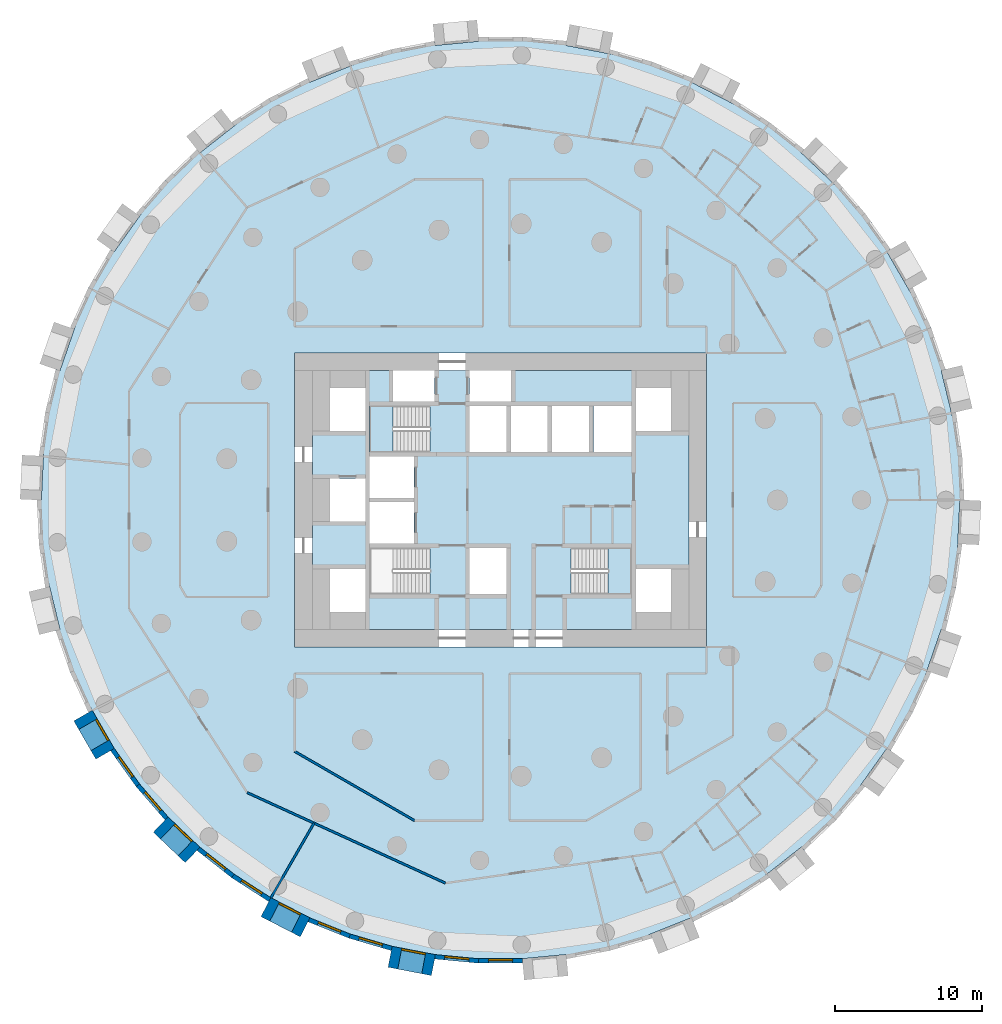
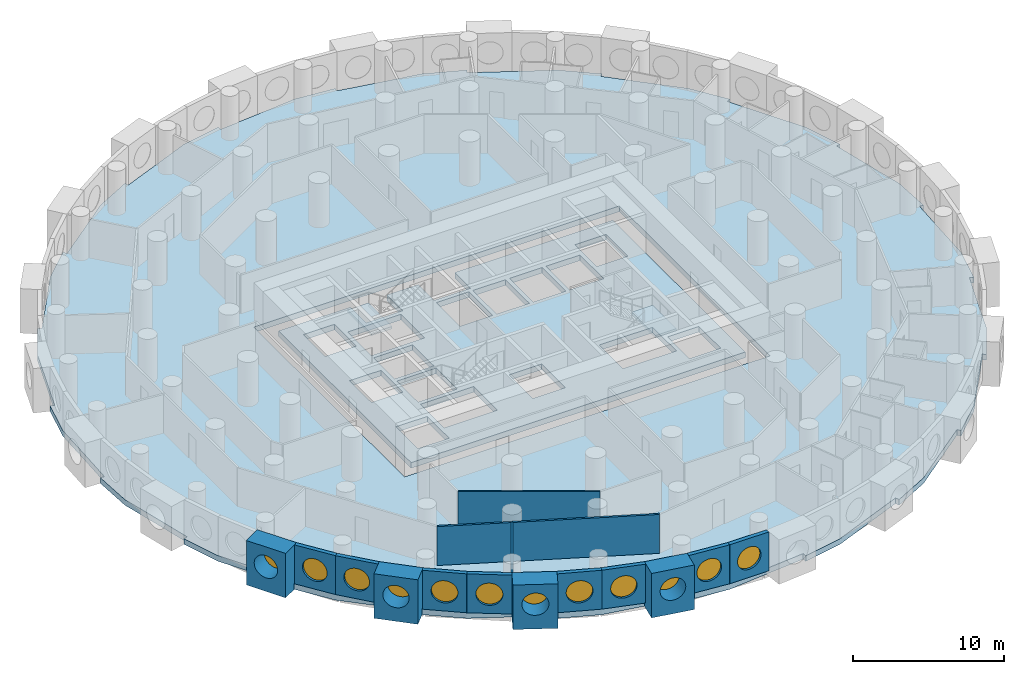
# One storey, part 2 of 12: 15 walls, 12 windows, 4 slabs, 12 openings, 2 elements without a shape of their own.
"""IFC4 building model written with IfcOpenShell, lengths in metres."""

from ifc_helpers import new_model, si_unit, direction, frame, frame_2d, origin, origin_2d, place, context, subcontext, project, spatial, polyline, rectangle, circle, outline, extrude, material, layer, layer_set, type_object, element, fill, aggregate, save


model = new_model("IFC4")

# Units and contexts
model_context = context("Model", 3, precision=1e-05, world=origin(), true_north=direction((0.0, 1.0)))
body_context = subcontext(model_context, "Body", "Model", "MODEL_VIEW")
ifc_project = project(units=[si_unit("LENGTHUNIT", "METRE"), si_unit("AREAUNIT", "SQUARE_METRE"), si_unit("VOLUMEUNIT", "CUBIC_METRE"), si_unit("PLANEANGLEUNIT", "RADIAN"), si_unit("MASSUNIT", "GRAM", prefix="KILO")], contexts=[model_context])

# Site, building, storey
site_placement = place(None, origin())
site = spatial("IfcSite", under=ifc_project, at=site_placement, CompositionType="ELEMENT")
building_placement = place(site_placement, origin())
building = spatial("IfcBuilding", under=site, at=building_placement, Name="Tracery Tower", CompositionType="ELEMENT")
storey_placement = place(building_placement, frame((0.0, 0.0, 71.39990234375)))
storey = spatial("IfcBuildingStorey", under=building, at=storey_placement, Name="L17", CompositionType="ELEMENT", Elevation=71.39990234375)

# Slabs
ifc_material_1 = material(Name="Concrete C60/75", Category="concrete")
ifc_layer_1 = layer(ifc_material_1, 0.449951171875)
ifc_layer_set_1 = layer_set([ifc_layer_1], Name="Core floor slab 450 C60")
slab_type_1 = type_object("IfcSlabType", Name="Core floor slab 450 C60", PredefinedType="FLOOR", material=ifc_layer_set_1)
slab_1_placement = place(storey_placement, frame((0.0, 0.0, -0.449951171875)))
element("IfcSlab", 1, at=slab_1_placement, inside=storey, type_object=slab_type_1, Name="L17 core floor 1", PredefinedType="FLOOR", context=body_context, shape_type="SweptSolid", body=[
    extrude(outline(polyline([(-12.800048828125, 8.800048828125), (-7.300048828125, 8.800048828125), (-7.300048828125, 6.699951171875), (-4.5, 6.699951171875), (-4.5, 8.800048828125), (-2.10009765625, 8.800048828125), (-2.10009765625, 6.699951171875), (0.699951171875, 6.699951171875), (0.699951171875, 8.800048828125), (12.800048828125, 8.800048828125), (12.800048828125, -8.800048828125), (-12.800048828125, -8.800048828125), (-12.800048828125, 8.800048828125)]), holes=[polyline([(11.60009765625, -7.60009765625), (11.60009765625, -4.699951171875), (9.199951171875, -4.699951171875), (9.199951171875, -7.60009765625), (11.60009765625, -7.60009765625)]), polyline([(11.60009765625, 4.699951171875), (11.60009765625, 7.60009765625), (9.199951171875, 7.60009765625), (9.199951171875, 4.699951171875), (11.60009765625, 4.699951171875)]), polyline([(4.800537109375, -3.25), (4.800537109375, -6.39990234375), (8.89990234375, -6.39990234375), (8.89990234375, -3.25), (4.800537109375, -3.25)]), polyline([(6.300048828125, 3.25), (8.89990234375, 3.25), (8.89990234375, 6.39990234375), (6.300048828125, 6.39990234375), (6.300048828125, 3.25)]), polyline([(3.5, 3.25), (6.0, 3.25), (6.0, 6.39990234375), (3.5, 6.39990234375), (3.5, 3.25)]), polyline([(3.199951171875, 3.25), (3.199951171875, 6.39990234375), (0.699951171875, 6.39990234375), (0.699951171875, 3.25), (3.199951171875, 3.25)]), polyline([(-2.10009765625, 3.25), (0.39990234375, 3.25), (0.39990234375, 6.39990234375), (-2.10009765625, 6.39990234375), (-2.10009765625, 3.25)]), polyline([(0.39990234375, -6.39990234375), (0.39990234375, -3.25), (-2.10009765625, -3.25), (-2.10009765625, -6.39990234375), (0.39990234375, -6.39990234375)]), polyline([(-4.800537109375, -3.25), (-8.89990234375, -3.25), (-8.89990234375, -6.39990234375), (-4.800537109375, -6.39990234375), (-4.800537109375, -3.25)]), polyline([(-4.800537109375, 6.39990234375), (-8.89990234375, 6.39990234375), (-8.89990234375, 3.25), (-4.800537109375, 3.25), (-4.800537109375, 6.39990234375)]), polyline([(-8.89990234375, -2.949951171875), (-5.89990234375, -2.949951171875), (-5.89990234375, -0.14990234375), (-8.89990234375, -0.14990234375), (-8.89990234375, -2.949951171875)]), polyline([(-5.89990234375, 0.14990234375), (-5.89990234375, 2.949951171875), (-8.89990234375, 2.949951171875), (-8.89990234375, 0.14990234375), (-5.89990234375, 0.14990234375)]), polyline([(-11.60009765625, 4.699951171875), (-9.199951171875, 4.699951171875), (-9.199951171875, 7.60009765625), (-11.60009765625, 7.60009765625), (-11.60009765625, 4.699951171875)]), polyline([(-9.199951171875, -7.60009765625), (-9.199951171875, -4.699951171875), (-11.60009765625, -4.699951171875), (-11.60009765625, -7.60009765625), (-9.199951171875, -7.60009765625)]), polyline([(-9.199951171875, -1.449951171875), (-9.199951171875, 1.449951171875), (-11.60009765625, 1.449951171875), (-11.60009765625, -1.449951171875), (-9.199951171875, -1.449951171875)])]), origin(), (0.0, 0.0, 1.0), 0.449951171875),
])
ifc_material_2 = material(Name="Concrete C50/60", Category="concrete")
ifc_layer_2 = layer(ifc_material_2, 0.449951171875)
ifc_layer_set_2 = layer_set([ifc_layer_2], Name="Floor slab 450")
slab_type_2 = type_object("IfcSlabType", Name="Floor slab 450", PredefinedType="FLOOR", material=ifc_layer_set_2)
slab_2_placement = place(storey_placement, frame((0.0, 0.0, -0.449951171875)))
element("IfcSlab", 2, at=slab_2_placement, inside=storey, type_object=slab_type_2, Name="Floor slab L17", PredefinedType="FLOOR", context=body_context, shape_type="SweptSolid", body=[
    extrude(outline(polyline([(30.663330078125, 5.8955078125), (30.663330078125, 5.895263671875), (30.66015625, 5.908447265625), (30.659912109375, 5.9091796875), (30.6015625, 6.150390625), (29.9560546875, 8.810791015625), (30.24755859375, 8.881591796875), (30.24755859375, 8.881591796875), (29.266357421875, 11.716552734375), (27.760498046875, 14.29541015625), (27.760498046875, 14.29541015625), (27.7548828125, 14.3046875), (27.753173828125, 14.307861328125), (26.267578125, 16.881103515625), (26.267578125, 16.881103515625), (26.260498046875, 16.8935546875), (26.52001953125, 17.04345703125), (26.520263671875, 17.04345703125), (24.780029296875, 19.4873046875), (22.6083984375, 21.537353515625), (22.6083984375, 21.537353515625), (21.854736328125, 22.256103515625), (20.447509765625, 23.59765625), (20.447509765625, 23.59765625), (20.437255859375, 23.607666015625), (20.64404296875, 23.824462890625), (20.644287109375, 23.82470703125), (18.2861328125, 25.67919921875), (15.625, 27.034423828125), (15.624755859375, 27.034423828125), (15.614990234375, 27.03955078125), (15.612060546875, 27.041015625), (13.0693359375, 28.351806640625), (12.958251953125, 28.4091796875), (13.095703125, 28.67578125), (10.310791015625, 29.790771484375), (7.37548828125, 30.341552734375), (7.37548828125, 30.34130859375), (7.114501953125, 30.3916015625), (4.443603515625, 30.906494140625), (4.443603515625, 30.906494140625), (4.4296875, 30.9091796875), (4.486328125, 31.203369140625), (4.486328125, 31.20361328125), (1.5, 31.489013671875), (-1.471435546875, 31.190185546875), (-1.471435546875, 31.190185546875), (-1.859375, 31.1533203125), (-4.443603515625, 30.906494140625), (-4.443603515625, 30.906494140625), (-4.4580078125, 30.905029296875), (-4.486328125, 31.20361328125), (-7.43212890625, 30.635986328125), (-10.19921875, 29.512451171875), (-10.19921875, 29.51220703125), (-12.984375, 28.397216796875), (-13.095703125, 28.67578125), (-13.095703125, 28.67578125), (-15.76220703125, 27.301025390625), (-18.1005859375, 25.443359375), (-18.1005859375, 25.443359375), (-18.103271484375, 25.44140625), (-18.11181640625, 25.4345703125), (-20.447509765625, 23.59765625), (-20.447509765625, 23.59765625), (-20.458740234375, 23.5888671875), (-20.644287109375, 23.82470703125), (-22.8154296875, 21.75439453125), (-24.53564453125, 19.313232421875), (-24.53564453125, 19.313232421875), (-24.81201171875, 18.9248046875), (-26.267578125, 16.881103515625), (-26.267578125, 16.881103515625), (-26.27587890625, 16.869384765625), (-26.520263671875, 17.04345703125), (-28.020263671875, 14.4453125), (-28.98291015625, 11.618408203125), (-28.98291015625, 11.618408203125), (-29.964111328125, 8.783447265625), (-30.24755859375, 8.881591796875), (-30.954833984375, 5.966064453125), (-31.082275390625, 2.982421875), (-31.082275390625, 2.982421875), (-31.224853515625, -0.014404296875), (-31.524658203125, 0.0), (-31.524658203125, 0.0), (-31.3818359375, -2.99658203125), (-30.663330078125, -5.8955078125), (-30.663330078125, -5.895263671875), (-30.66015625, -5.908447265625), (-30.659912109375, -5.9091796875), (-30.6015625, -6.150390625), (-29.9560546875, -8.810791015625), (-30.24755859375, -8.881591796875), (-30.24755859375, -8.881591796875), (-29.266357421875, -11.716552734375), (-27.760498046875, -14.29541015625), (-27.760498046875, -14.29541015625), (-27.7548828125, -14.3046875), (-27.753173828125, -14.307861328125), (-26.267578125, -16.881103515625), (-26.267578125, -16.881103515625), (-26.260498046875, -16.8935546875), (-26.52001953125, -17.04345703125), (-26.520263671875, -17.04345703125), (-24.780029296875, -19.4873046875), (-22.6083984375, -21.537353515625), (-22.6083984375, -21.537353515625), (-21.854736328125, -22.256103515625), (-20.447509765625, -23.59765625), (-20.447509765625, -23.59765625), (-20.437255859375, -23.607666015625), (-20.64404296875, -23.824462890625), (-20.644287109375, -23.82470703125), (-18.2861328125, -25.67919921875), (-15.625, -27.034423828125), (-15.624755859375, -27.034423828125), (-15.614990234375, -27.03955078125), (-15.612060546875, -27.041015625), (-13.0693359375, -28.351806640625), (-12.958251953125, -28.4091796875), (-13.095703125, -28.67578125), (-10.310791015625, -29.790771484375), (-7.37548828125, -30.341552734375), (-7.37548828125, -30.34130859375), (-7.114501953125, -30.3916015625), (-4.443603515625, -30.906494140625), (-4.443603515625, -30.906494140625), (-4.4296875, -30.9091796875), (-4.486328125, -31.203369140625), (-4.486328125, -31.20361328125), (-1.5, -31.489013671875), (1.471435546875, -31.190185546875), (1.471435546875, -31.190185546875), (1.859375, -31.1533203125), (4.443603515625, -30.906494140625), (4.443603515625, -30.906494140625), (4.4580078125, -30.905029296875), (4.486328125, -31.20361328125), (7.43212890625, -30.635986328125), (10.19921875, -29.512451171875), (10.19921875, -29.51220703125), (12.984375, -28.397216796875), (13.095703125, -28.67578125), (13.095703125, -28.67578125), (15.76220703125, -27.301025390625), (18.1005859375, -25.443359375), (18.1005859375, -25.443359375), (18.103271484375, -25.44140625), (18.11181640625, -25.4345703125), (20.447509765625, -23.59765625), (20.447509765625, -23.59765625), (20.458740234375, -23.5888671875), (20.644287109375, -23.82470703125), (22.8154296875, -21.75439453125), (24.53564453125, -19.313232421875), (24.53564453125, -19.313232421875), (24.81201171875, -18.9248046875), (26.267578125, -16.881103515625), (26.267578125, -16.881103515625), (26.27587890625, -16.869384765625), (26.520263671875, -17.04345703125), (28.020263671875, -14.4453125), (28.98291015625, -11.618408203125), (28.98291015625, -11.618408203125), (29.964111328125, -8.783447265625), (30.24755859375, -8.881591796875), (30.954833984375, -5.966064453125), (31.082275390625, -2.982421875), (31.082275390625, -2.982421875), (31.224853515625, 0.014404296875), (31.524658203125, 0.0), (31.3818359375, 2.99658203125), (30.663330078125, 5.8955078125)]), holes=[polyline([(-14.0, -10.0), (14.0, -10.0), (14.0, 10.0), (-14.0, 10.0), (-14.0, -10.0)])]), origin(), (0.0, 0.0, 1.0), 0.449951171875),
])

# Stair, slab
ifc_material_3 = material(Name="Concrete C32/40", Category="concrete")
stair_type = type_object("IfcStairType", Name="Core stair 22 risers", PredefinedType="HALF_TURN_STAIR", material=ifc_material_3)
stair_1_placement = place(storey_placement, origin())
stair_1 = element("IfcStair", 3, at=stair_1_placement, inside=storey, type_object=stair_type, Name="L17 stair ST3", PredefinedType="HALF_TURN_STAIR")
ifc_material_4 = material(Name="Concrete C32/40", Category="concrete")
ifc_layer_3 = layer(ifc_material_4, 0.199951171875)
ifc_layer_set_3 = layer_set([ifc_layer_3], Name="Stair landing slab 200")
slab_type_3 = type_object("IfcSlabType", Name="Stair landing slab 200", PredefinedType="LANDING", material=ifc_layer_set_3)
slab_3_placement = place(storey_placement, frame((0.0, 0.0, 1.60009765625)))
slab_3 = element("IfcSlab", 4, at=slab_3_placement, type_object=slab_type_3, Name="ST3 landing 1", PredefinedType="LANDING", context=body_context, shape_type="SweptSolid", body=[
    extrude(outline(polyline([(-7.29931640625, 6.39990234375), (-8.89990234375, 6.39990234375), (-8.89990234375, 3.25), (-7.29931640625, 3.25), (-7.29931640625, 6.39990234375)])), origin(), (0.0, 0.0, 1.0), 0.199951171875),
])
aggregate(stair_1, [slab_3])

stair_2_placement = place(storey_placement, origin())
stair_2 = element("IfcStair", 5, at=stair_2_placement, inside=storey, type_object=stair_type, Name="L17 stair ST2", PredefinedType="HALF_TURN_STAIR")
slab_4_placement = place(storey_placement, frame((0.0, 0.0, 1.60009765625)))
slab_4 = element("IfcSlab", 6, at=slab_4_placement, type_object=slab_type_3, Name="ST2 landing 1", PredefinedType="LANDING", context=body_context, shape_type="SweptSolid", body=[
    extrude(outline(polyline([(7.29931640625, -6.39990234375), (8.89990234375, -6.39990234375), (8.89990234375, -3.25), (7.29931640625, -3.25), (7.29931640625, -6.39990234375)])), origin(), (0.0, 0.0, 1.0), 0.199951171875),
])
aggregate(stair_2, [slab_4])

# Wall, opening, window
ifc_material_5 = material(Name="Precast concrete C50/60", Category="concrete")
ifc_layer_4 = layer(ifc_material_5, 1.449951171875)
ifc_layer_set_4 = layer_set([ifc_layer_4], Name="Deep-set bay unit 3000 x 3600, slab edge 450")
wall_type_1 = type_object("IfcWallType", Name="Deep-set bay unit 3000 x 3600, slab edge 450", PredefinedType="ELEMENTEDWALL", material=ifc_layer_set_4)
wall_1_placement = place(storey_placement, frame((-28.38818359375, -14.657958984375, -0.449951171875), z_axis=(0.0, 0.0, 1.0), x_axis=(0.499990139034, -0.866031096941, 0.0)))
wall_1 = element("IfcWall", 7, at=wall_1_placement, inside=storey, type_object=wall_type_1, Name="Deep-set bay unit 39 at L17", PredefinedType="ELEMENTEDWALL", context=body_context, shape_type="SweptSolid", body=[
    extrude(rectangle(XDim=3.0, YDim=1.449951171875, at=frame_2d((1.5, 0.0))), origin(), (0.0, 0.0, 1.0), 3.60009765625),
])
opening_1_placement = place(wall_1_placement, frame((1.5, 0.0, 2.0)))
opening_1 = element("IfcOpeningElement", 8, at=opening_1_placement, cuts=wall_1, Name="Opening WN1", PredefinedType="OPENING", context=body_context, shape_type="SweptSolid", body=[
    extrude(circle(Radius=0.9000244140625, at=origin_2d()), frame((0.0, 0.73486328125, 0.0), z_axis=(0.0, -1.0, 0.0), x_axis=(1.0, 0.0, 0.0)), (0.0, 0.0, 1.0), 1.469970703125),
])
ifc_material_6 = material(Name="Aluminium frame with tinted double glazing", Category="aluminium")
window_type = type_object("IfcWindowType", Name="Round window 1800", PartitioningType="SINGLE_PANEL", PredefinedType="WINDOW", material=ifc_material_6)
window_1_placement = place(opening_1_placement, origin())
window_1 = element("IfcWindow", 9, at=window_1_placement, inside=storey, type_object=window_type, Name="Round window 39 at L17", OverallHeight=1.800048828125, OverallWidth=1.800048828125, PartitioningType="SINGLE_PANEL", PredefinedType="WINDOW", context=body_context, shape_type="SweptSolid", body=[
    extrude(circle(Radius=0.9000244140625, at=origin_2d()), frame((0.0, 0.69482421875, 0.0), z_axis=(0.0, -1.0, 0.0), x_axis=(1.0, 0.0, 0.0)), (0.0, 0.0, 1.0), 0.10009765625),
])
fill(opening_1, window_1)

wall_2_placement = place(storey_placement, frame((-23.108642578125, -22.06201171875, -0.449951171875), z_axis=(0.0, 0.0, 1.0), x_axis=(0.723712023899, -0.690102098579, 0.0)))
wall_2 = element("IfcWall", 10, at=wall_2_placement, inside=storey, type_object=wall_type_1, Name="Deep-set bay unit 42 at L17", PredefinedType="ELEMENTEDWALL", context=body_context, shape_type="SweptSolid", body=[
    extrude(rectangle(XDim=3.0, YDim=1.449951171875, at=frame_2d((1.5, 0.0))), origin(), (0.0, 0.0, 1.0), 3.60009765625),
])
opening_2_placement = place(wall_2_placement, frame((1.5, 0.0, 2.0)))
opening_2 = element("IfcOpeningElement", 11, at=opening_2_placement, cuts=wall_2, Name="Opening WN1", PredefinedType="OPENING", context=body_context, shape_type="SweptSolid", body=[
    extrude(circle(Radius=0.9000244140625, at=origin_2d()), frame((0.0, 0.73486328125, 0.0), z_axis=(0.0, -1.0, 0.0), x_axis=(1.0, 0.0, 0.0)), (0.0, 0.0, 1.0), 1.469970703125),
])
window_2_placement = place(opening_2_placement, origin())
window_2 = element("IfcWindow", 12, at=window_2_placement, inside=storey, type_object=window_type, Name="Round window 42 at L17", OverallHeight=1.800048828125, OverallWidth=1.800048828125, PartitioningType="SINGLE_PANEL", PredefinedType="WINDOW", context=body_context, shape_type="SweptSolid", body=[
    extrude(circle(Radius=0.9000244140625, at=origin_2d()), frame((0.0, 0.69482421875, 0.0), z_axis=(0.0, -1.0, 0.0), x_axis=(1.0, 0.0, 0.0)), (0.0, 0.0, 1.0), 0.10009765625),
])
fill(opening_2, window_2)

wall_3_placement = place(storey_placement, frame((-15.95703125, -27.678955078125, -0.449951171875), z_axis=(0.0, 0.0, 1.0), x_axis=(0.888858064689, -0.458182650083, 0.0)))
wall_3 = element("IfcWall", 13, at=wall_3_placement, inside=storey, type_object=wall_type_1, Name="Deep-set bay unit 45 at L17", PredefinedType="ELEMENTEDWALL", context=body_context, shape_type="SweptSolid", body=[
    extrude(rectangle(XDim=3.0, YDim=1.449951171875, at=frame_2d((1.5, 0.0))), origin(), (0.0, 0.0, 1.0), 3.60009765625),
])
opening_3_placement = place(wall_3_placement, frame((1.5, 0.0, 2.0)))
opening_3 = element("IfcOpeningElement", 14, at=opening_3_placement, cuts=wall_3, Name="Opening WN1", PredefinedType="OPENING", context=body_context, shape_type="SweptSolid", body=[
    extrude(circle(Radius=0.9000244140625, at=origin_2d()), frame((0.0, 0.73486328125, 0.0), z_axis=(0.0, -1.0, 0.0), x_axis=(1.0, 0.0, 0.0)), (0.0, 0.0, 1.0), 1.469970703125),
])
window_3_placement = place(opening_3_placement, origin())
window_3 = element("IfcWindow", 15, at=window_3_placement, inside=storey, type_object=window_type, Name="Round window 45 at L17", OverallHeight=1.800048828125, OverallWidth=1.800048828125, PartitioningType="SINGLE_PANEL", PredefinedType="WINDOW", context=body_context, shape_type="SweptSolid", body=[
    extrude(circle(Radius=0.9000244140625, at=origin_2d()), frame((0.0, 0.69482421875, 0.0), z_axis=(0.0, -1.0, 0.0), x_axis=(1.0, 0.0, 0.0)), (0.0, 0.0, 1.0), 0.10009765625),
])
fill(opening_3, window_3)

wall_4_placement = place(storey_placement, frame((-7.5126953125, -31.05322265625, -0.449951171875), z_axis=(0.0, 0.0, 1.0), x_axis=(0.981921602273, -0.189288052949, 0.0)))
wall_4 = element("IfcWall", 16, at=wall_4_placement, inside=storey, type_object=wall_type_1, Name="Deep-set bay unit 48 at L17", PredefinedType="ELEMENTEDWALL", context=body_context, shape_type="SweptSolid", body=[
    extrude(rectangle(XDim=3.0, YDim=1.449951171875, at=frame_2d((1.5, 0.0))), origin(), (0.0, 0.0, 1.0), 3.60009765625),
])
opening_4_placement = place(wall_4_placement, frame((1.5, 0.0, 2.0)))
opening_4 = element("IfcOpeningElement", 17, at=opening_4_placement, cuts=wall_4, Name="Opening WN1", PredefinedType="OPENING", context=body_context, shape_type="SweptSolid", body=[
    extrude(circle(Radius=0.9000244140625, at=origin_2d()), frame((0.0, 0.73486328125, 0.0), z_axis=(0.0, -1.0, 0.0), x_axis=(1.0, 0.0, 0.0)), (0.0, 0.0, 1.0), 1.469970703125),
])
window_4_placement = place(opening_4_placement, origin())
window_4 = element("IfcWindow", 18, at=window_4_placement, inside=storey, type_object=window_type, Name="Round window 48 at L17", OverallHeight=1.800048828125, OverallWidth=1.800048828125, PartitioningType="SINGLE_PANEL", PredefinedType="WINDOW", context=body_context, shape_type="SweptSolid", body=[
    extrude(circle(Radius=0.9000244140625, at=origin_2d()), frame((0.0, 0.69482421875, 0.0), z_axis=(0.0, -1.0, 0.0), x_axis=(1.0, 0.0, 0.0)), (0.0, 0.0, 1.0), 0.10009765625),
])
fill(opening_4, window_4)

ifc_material_7 = material(Name="Precast concrete C50/60", Category="concrete")
ifc_layer_5 = layer(ifc_material_7, 0.300048828125)
ifc_layer_set_5 = layer_set([ifc_layer_5], Name="Facade panel 3000 x 3150")
wall_type_2 = type_object("IfcWallType", Name="Facade panel 3000 x 3150", PredefinedType="SOLIDWALL", material=ifc_layer_set_5)
wall_5_placement = place(storey_placement, frame((-26.390380859375, -16.96728515625, 0.0), z_axis=(0.0, 0.0, 1.0), x_axis=(0.580113774115, -0.814535456, 0.0)))
wall_5 = element("IfcWall", 19, at=wall_5_placement, inside=storey, type_object=wall_type_2, Name="Facade panel 40 at L17", PredefinedType="SOLIDWALL", context=body_context, shape_type="SweptSolid", body=[
    extrude(rectangle(XDim=2.979736328125, YDim=0.300048828125, at=frame_2d((1.48974609375, 0.0))), origin(), (0.0, 0.0, 1.0), 3.150146484375),
])
opening_5_placement = place(wall_5_placement, frame((1.48974609375, 0.0, 1.5498046875)))
opening_5 = element("IfcOpeningElement", 20, at=opening_5_placement, cuts=wall_5, Name="Opening WN1", PredefinedType="OPENING", context=body_context, shape_type="SweptSolid", body=[
    extrude(circle(Radius=0.9000244140625, at=origin_2d()), frame((0.0, 0.159912109375, 0.0), z_axis=(0.0, -1.0, 0.0), x_axis=(1.0, 0.0, 0.0)), (0.0, 0.0, 1.0), 0.320068359375),
])
window_5_placement = place(opening_5_placement, origin())
window_5 = element("IfcWindow", 21, at=window_5_placement, inside=storey, type_object=window_type, Name="Round window 40 at L17", OverallHeight=1.800048828125, OverallWidth=1.800048828125, PartitioningType="SINGLE_PANEL", PredefinedType="WINDOW", context=body_context, shape_type="SweptSolid", body=[
    extrude(circle(Radius=0.9000244140625, at=origin_2d()), frame((0.0, 0.1201171875, 0.0), z_axis=(0.0, -1.0, 0.0), x_axis=(1.0, 0.0, 0.0)), (0.0, 0.0, 1.0), 0.10009765625),
])
fill(opening_5, window_5)

wall_6_placement = place(storey_placement, frame((-24.661865234375, -19.394287109375, 0.0), z_axis=(0.0, 0.0, 1.0), x_axis=(0.654830712471, -0.755775587066, 0.0)))
wall_6 = element("IfcWall", 22, at=wall_6_placement, inside=storey, type_object=wall_type_2, Name="Facade panel 41 at L17", PredefinedType="SOLIDWALL", context=body_context, shape_type="SweptSolid", body=[
    extrude(rectangle(XDim=2.979736328125, YDim=0.300048828125, at=frame_2d((1.48974609375, 0.0))), origin(), (0.0, 0.0, 1.0), 3.150146484375),
])
opening_6_placement = place(wall_6_placement, frame((1.48974609375, 0.0, 1.5498046875)))
opening_6 = element("IfcOpeningElement", 23, at=opening_6_placement, cuts=wall_6, Name="Opening WN1", PredefinedType="OPENING", context=body_context, shape_type="SweptSolid", body=[
    extrude(circle(Radius=0.9000244140625, at=origin_2d()), frame((0.0, 0.159912109375, 0.0), z_axis=(0.0, -1.0, 0.0), x_axis=(1.0, 0.0, 0.0)), (0.0, 0.0, 1.0), 0.320068359375),
])
window_6_placement = place(opening_6_placement, origin())
window_6 = element("IfcWindow", 24, at=window_6_placement, inside=storey, type_object=window_type, Name="Round window 41 at L17", OverallHeight=1.800048828125, OverallWidth=1.800048828125, PartitioningType="SINGLE_PANEL", PredefinedType="WINDOW", context=body_context, shape_type="SweptSolid", body=[
    extrude(circle(Radius=0.9000244140625, at=origin_2d()), frame((0.0, 0.1201171875, 0.0), z_axis=(0.0, -1.0, 0.0), x_axis=(1.0, 0.0, 0.0)), (0.0, 0.0, 1.0), 0.10009765625),
])
fill(opening_6, window_6)

wall_7_placement = place(storey_placement, frame((-20.541015625, -23.715087890625, 0.0), z_axis=(0.0, 0.0, 1.0), x_axis=(0.786053834673, -0.618158045322, 0.0)))
wall_7 = element("IfcWall", 25, at=wall_7_placement, inside=storey, type_object=wall_type_2, Name="Facade panel 43 at L17", PredefinedType="SOLIDWALL", context=body_context, shape_type="SweptSolid", body=[
    extrude(rectangle(XDim=2.9794921875, YDim=0.300048828125, at=frame_2d((1.48974609375, 0.0))), origin(), (0.0, 0.0, 1.0), 3.150146484375),
])
opening_7_placement = place(wall_7_placement, frame((1.48974609375, 0.0, 1.5498046875)))
opening_7 = element("IfcOpeningElement", 26, at=opening_7_placement, cuts=wall_7, Name="Opening WN1", PredefinedType="OPENING", context=body_context, shape_type="SweptSolid", body=[
    extrude(circle(Radius=0.9000244140625, at=origin_2d()), frame((0.0, 0.159912109375, 0.0), z_axis=(0.0, -1.0, 0.0), x_axis=(1.0, 0.0, 0.0)), (0.0, 0.0, 1.0), 0.320068359375),
])
window_7_placement = place(opening_7_placement, origin())
window_7 = element("IfcWindow", 27, at=window_7_placement, inside=storey, type_object=window_type, Name="Round window 43 at L17", OverallHeight=1.800048828125, OverallWidth=1.800048828125, PartitioningType="SINGLE_PANEL", PredefinedType="WINDOW", context=body_context, shape_type="SweptSolid", body=[
    extrude(circle(Radius=0.9000244140625, at=origin_2d()), frame((0.0, 0.1201171875, 0.0), z_axis=(0.0, -1.0, 0.0), x_axis=(1.0, 0.0, 0.0)), (0.0, 0.0, 1.0), 0.10009765625),
])
fill(opening_7, window_7)

wall_8_placement = place(storey_placement, frame((-18.198974609375, -25.556884765625, 0.0), z_axis=(0.0, 0.0, 1.0), x_axis=(0.841260995538, -0.54062920508, 0.0)))
wall_8 = element("IfcWall", 28, at=wall_8_placement, inside=storey, type_object=wall_type_2, Name="Facade panel 44 at L17", PredefinedType="SOLIDWALL", context=body_context, shape_type="SweptSolid", body=[
    extrude(rectangle(XDim=2.9794921875, YDim=0.300048828125, at=frame_2d((1.48974609375, 0.0))), origin(), (0.0, 0.0, 1.0), 3.150146484375),
])
opening_8_placement = place(wall_8_placement, frame((1.48974609375, 0.0, 1.5498046875)))
opening_8 = element("IfcOpeningElement", 29, at=opening_8_placement, cuts=wall_8, Name="Opening WN1", PredefinedType="OPENING", context=body_context, shape_type="SweptSolid", body=[
    extrude(circle(Radius=0.9000244140625, at=origin_2d()), frame((0.0, 0.159912109375, 0.0), z_axis=(0.0, -1.0, 0.0), x_axis=(1.0, 0.0, 0.0)), (0.0, 0.0, 1.0), 0.320068359375),
])
window_8_placement = place(opening_8_placement, origin())
window_8 = element("IfcWindow", 30, at=window_8_placement, inside=storey, type_object=window_type, Name="Round window 44 at L17", OverallHeight=1.800048828125, OverallWidth=1.800048828125, PartitioningType="SINGLE_PANEL", PredefinedType="WINDOW", context=body_context, shape_type="SweptSolid", body=[
    extrude(circle(Radius=0.9000244140625, at=origin_2d()), frame((0.0, 0.1201171875, 0.0), z_axis=(0.0, -1.0, 0.0), x_axis=(1.0, 0.0, 0.0)), (0.0, 0.0, 1.0), 0.10009765625),
])
fill(opening_8, window_8)

wall_9_placement = place(storey_placement, frame((-13.02783203125, -28.54150390625, 0.0), z_axis=(0.0, 0.0, 1.0), x_axis=(0.928374947, -0.371644935098, 0.0)))
wall_9 = element("IfcWall", 31, at=wall_9_placement, inside=storey, type_object=wall_type_2, Name="Facade panel 46 at L17", PredefinedType="SOLIDWALL", context=body_context, shape_type="SweptSolid", body=[
    extrude(rectangle(XDim=2.979736328125, YDim=0.300048828125, at=frame_2d((1.48974609375, 0.0))), origin(), (0.0, 0.0, 1.0), 3.150146484375),
])
opening_9_placement = place(wall_9_placement, frame((1.48974609375, 0.0, 1.5498046875)))
opening_9 = element("IfcOpeningElement", 32, at=opening_9_placement, cuts=wall_9, Name="Opening WN1", PredefinedType="OPENING", context=body_context, shape_type="SweptSolid", body=[
    extrude(circle(Radius=0.9000244140625, at=origin_2d()), frame((0.0, 0.159912109375, 0.0), z_axis=(0.0, -1.0, 0.0), x_axis=(1.0, 0.0, 0.0)), (0.0, 0.0, 1.0), 0.320068359375),
])
window_9_placement = place(opening_9_placement, origin())
window_9 = element("IfcWindow", 33, at=window_9_placement, inside=storey, type_object=window_type, Name="Round window 46 at L17", OverallHeight=1.800048828125, OverallWidth=1.800048828125, PartitioningType="SINGLE_PANEL", PredefinedType="WINDOW", context=body_context, shape_type="SweptSolid", body=[
    extrude(circle(Radius=0.9000244140625, at=origin_2d()), frame((0.0, 0.1201171875, 0.0), z_axis=(0.0, -1.0, 0.0), x_axis=(1.0, 0.0, 0.0)), (0.0, 0.0, 1.0), 0.10009765625),
])
fill(opening_9, window_9)

wall_10_placement = place(storey_placement, frame((-10.261474609375, -29.64892578125, 0.0), z_axis=(0.0, 0.0, 1.0), x_axis=(0.959501085144, -0.281704930036, 0.0)))
wall_10 = element("IfcWall", 34, at=wall_10_placement, inside=storey, type_object=wall_type_2, Name="Facade panel 47 at L17", PredefinedType="SOLIDWALL", context=body_context, shape_type="SweptSolid", body=[
    extrude(rectangle(XDim=2.9794921875, YDim=0.300048828125, at=frame_2d((1.48974609375, 0.0))), origin(), (0.0, 0.0, 1.0), 3.150146484375),
])
opening_10_placement = place(wall_10_placement, frame((1.48974609375, 0.0, 1.5498046875)))
opening_10 = element("IfcOpeningElement", 35, at=opening_10_placement, cuts=wall_10, Name="Opening WN1", PredefinedType="OPENING", context=body_context, shape_type="SweptSolid", body=[
    extrude(circle(Radius=0.9000244140625, at=origin_2d()), frame((0.0, 0.159912109375, 0.0), z_axis=(0.0, -1.0, 0.0), x_axis=(1.0, 0.0, 0.0)), (0.0, 0.0, 1.0), 0.320068359375),
])
window_10_placement = place(opening_10_placement, origin())
window_10 = element("IfcWindow", 36, at=window_10_placement, inside=storey, type_object=window_type, Name="Round window 47 at L17", OverallHeight=1.800048828125, OverallWidth=1.800048828125, PartitioningType="SINGLE_PANEL", PredefinedType="WINDOW", context=body_context, shape_type="SweptSolid", body=[
    extrude(circle(Radius=0.9000244140625, at=origin_2d()), frame((0.0, 0.1201171875, 0.0), z_axis=(0.0, -1.0, 0.0), x_axis=(1.0, 0.0, 0.0)), (0.0, 0.0, 1.0), 0.10009765625),
])
fill(opening_10, window_10)

wall_11_placement = place(storey_placement, frame((-4.458984375, -31.0556640625, 0.0), z_axis=(0.0, 0.0, 1.0), x_axis=(0.995472611385, -0.095048829468, 0.0)))
wall_11 = element("IfcWall", 37, at=wall_11_placement, inside=storey, type_object=wall_type_2, Name="Facade panel 49 at L17", PredefinedType="SOLIDWALL", context=body_context, shape_type="SweptSolid", body=[
    extrude(rectangle(XDim=2.9794921875, YDim=0.300048828125, at=frame_2d((1.48974609375, 0.0))), origin(), (0.0, 0.0, 1.0), 3.150146484375),
])
opening_11_placement = place(wall_11_placement, frame((1.48974609375, 0.0, 1.5498046875)))
opening_11 = element("IfcOpeningElement", 38, at=opening_11_placement, cuts=wall_11, Name="Opening WN1", PredefinedType="OPENING", context=body_context, shape_type="SweptSolid", body=[
    extrude(circle(Radius=0.9000244140625, at=origin_2d()), frame((0.0, 0.159912109375, 0.0), z_axis=(0.0, -1.0, 0.0), x_axis=(1.0, 0.0, 0.0)), (0.0, 0.0, 1.0), 0.320068359375),
])
window_11_placement = place(opening_11_placement, origin())
window_11 = element("IfcWindow", 39, at=window_11_placement, inside=storey, type_object=window_type, Name="Round window 49 at L17", OverallHeight=1.800048828125, OverallWidth=1.800048828125, PartitioningType="SINGLE_PANEL", PredefinedType="WINDOW", context=body_context, shape_type="SweptSolid", body=[
    extrude(circle(Radius=0.9000244140625, at=origin_2d()), frame((0.0, 0.1201171875, 0.0), z_axis=(0.0, -1.0, 0.0), x_axis=(1.0, 0.0, 0.0)), (0.0, 0.0, 1.0), 0.10009765625),
])
fill(opening_11, window_11)

wall_12_placement = place(storey_placement, frame((-1.492919921875, -31.3388671875, 0.0), z_axis=(0.0, 0.0, 1.0), x_axis=(1.0, 0.0, 0.0)))
wall_12 = element("IfcWall", 40, at=wall_12_placement, inside=storey, type_object=wall_type_2, Name="Facade panel 50 at L17", PredefinedType="SOLIDWALL", context=body_context, shape_type="SweptSolid", body=[
    extrude(rectangle(XDim=2.979736328125, YDim=0.300048828125, at=frame_2d((1.48974609375, 0.0))), origin(), (0.0, 0.0, 1.0), 3.150146484375),
])
opening_12_placement = place(wall_12_placement, frame((1.48974609375, 0.0, 1.5498046875)))
opening_12 = element("IfcOpeningElement", 41, at=opening_12_placement, cuts=wall_12, Name="Opening WN1", PredefinedType="OPENING", context=body_context, shape_type="SweptSolid", body=[
    extrude(circle(Radius=0.9000244140625, at=origin_2d()), frame((0.0, 0.159912109375, 0.0), z_axis=(0.0, -1.0, 0.0), x_axis=(1.0, 0.0, 0.0)), (0.0, 0.0, 1.0), 0.320068359375),
])
window_12_placement = place(opening_12_placement, origin())
window_12 = element("IfcWindow", 42, at=window_12_placement, inside=storey, type_object=window_type, Name="Round window 50 at L17", OverallHeight=1.800048828125, OverallWidth=1.800048828125, PartitioningType="SINGLE_PANEL", PredefinedType="WINDOW", context=body_context, shape_type="SweptSolid", body=[
    extrude(circle(Radius=0.9000244140625, at=origin_2d()), frame((0.0, 0.1201171875, 0.0), z_axis=(0.0, -1.0, 0.0), x_axis=(1.0, 0.0, 0.0)), (0.0, 0.0, 1.0), 0.10009765625),
])
fill(opening_12, window_12)

# Walls
ifc_material_8 = material(Name="Plasterboard on steel studs", Category="steel")
ifc_layer_6 = layer(ifc_material_8, 0.14990234375)
ifc_layer_set_6 = layer_set([ifc_layer_6], Name="Partition 150 acoustic unit wall")
wall_type_3 = type_object("IfcWallType", Name="Partition 150 acoustic unit wall", PredefinedType="PARTITIONING", material=ifc_layer_set_6)
wall_13_placement = place(storey_placement, frame((-15.612060546875, -27.041015625, 0.0), z_axis=(0.0, 0.0, 1.0), x_axis=(0.499954606878, 0.86605160993, 0.0)))
element("IfcWall", 43, at=wall_13_placement, inside=storey, type_object=wall_type_3, Name="Unit wall RA5-085", PredefinedType="PARTITIONING", context=body_context, shape_type="SweptSolid", body=[
    extrude(rectangle(XDim=5.8564453125, YDim=0.14990234375, at=frame_2d((2.92822265625, 0.0))), origin(), (0.0, 0.0, 1.0), 3.150146484375),
])
ifc_material_9 = material(Name="Plasterboard on steel studs", Category="steel")
ifc_layer_7 = layer(ifc_material_9, 0.14990234375)
ifc_layer_set_7 = layer_set([ifc_layer_7], Name="Partition 150 corridor wall")
wall_type_4 = type_object("IfcWallType", Name="Partition 150 corridor wall", PredefinedType="PARTITIONING", material=ifc_layer_set_7)
wall_14_placement = place(storey_placement, frame((-14.0, -17.092041015625, 0.0), z_axis=(0.0, 0.0, 1.0), x_axis=(0.86602719091, -0.499996904595, 0.0)))
element("IfcWall", 44, at=wall_14_placement, inside=storey, type_object=wall_type_4, Name="Corridor wall RA5-045", PredefinedType="PARTITIONING", context=body_context, shape_type="SweptSolid", body=[
    extrude(rectangle(XDim=9.419921875, YDim=0.14990234375, at=frame_2d((4.7099609375, 0.0))), origin(), (0.0, 0.0, 1.0), 3.150146484375),
])
wall_15_placement = place(storey_placement, frame((-17.235107421875, -19.889892578125, 0.0), z_axis=(0.0, 0.0, 1.0), x_axis=(0.909645678785, -0.415385049163, 0.0)))
element("IfcWall", 45, at=wall_15_placement, inside=storey, type_object=wall_type_4, Name="Corridor wall RA5-054", PredefinedType="PARTITIONING", context=body_context, shape_type="SweptSolid", body=[
    extrude(rectangle(XDim=14.829345703125, YDim=0.14990234375, at=frame_2d((7.41455078125, 0.0))), origin(), (0.0, 0.0, 1.0), 3.150146484375),
])

save(model, "model.ifc")
